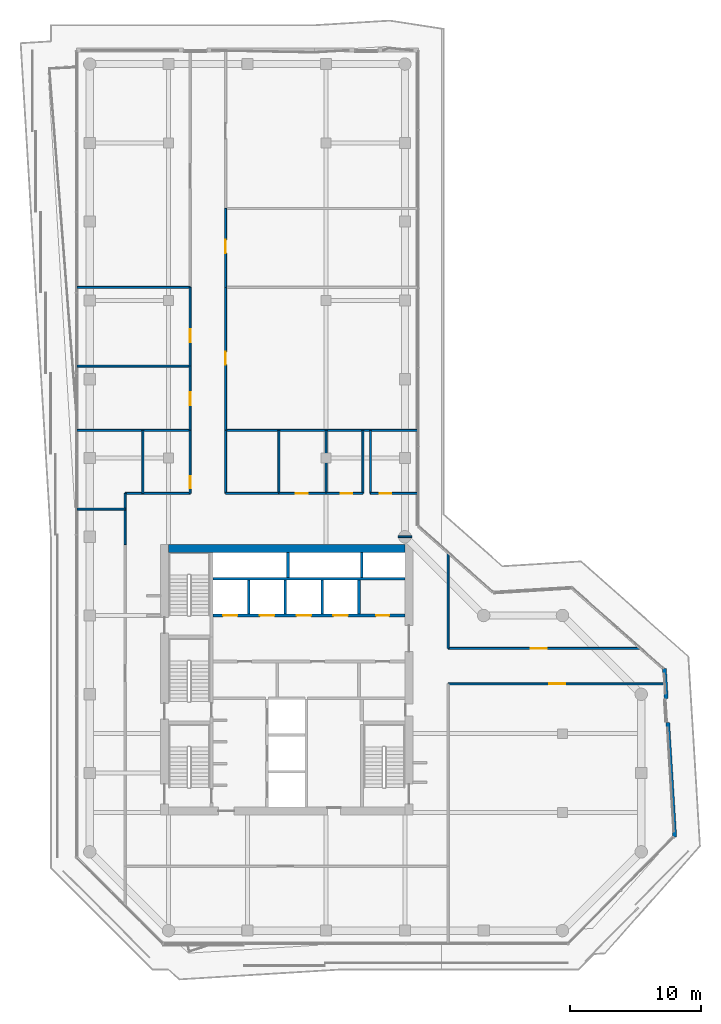
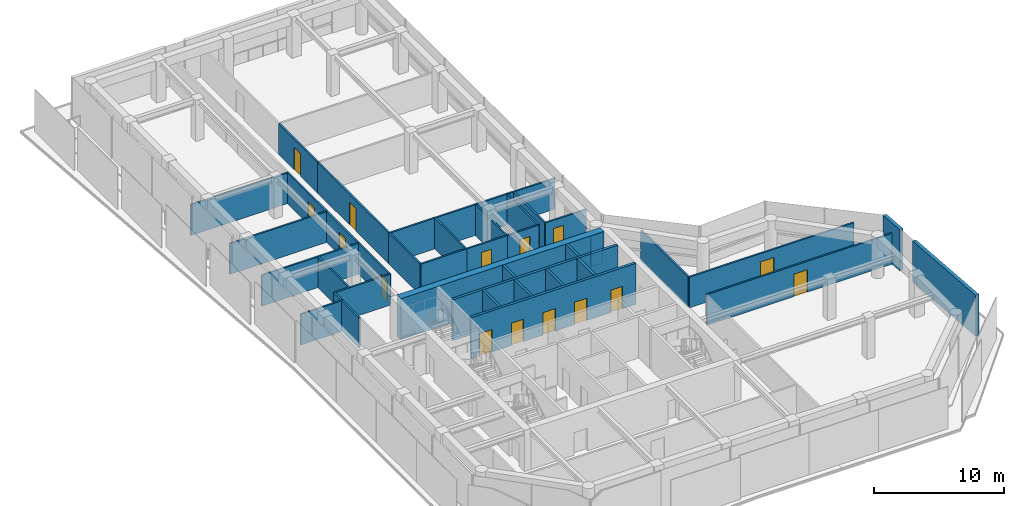
# One storey, part 18 of 21: 37 walls, 15 doors, 15 openings.
"""IFC4 building model written with IfcOpenShell, lengths in metres."""

from ifc_helpers import new_model, si_unit, direction, frame, frame_2d, origin, place, context, subcontext, project, spatial, rectangle, extrude, material, layer, layer_set, type_object, element, fill, save


model = new_model("IFC4")

# Units and contexts
model_context = context("Model", 3, precision=1e-05, world=origin(), true_north=direction((0.0, 1.0)))
body_context = subcontext(model_context, "Body", "Model", "MODEL_VIEW")
ifc_project = project(units=[si_unit("LENGTHUNIT", "METRE"), si_unit("AREAUNIT", "SQUARE_METRE"), si_unit("VOLUMEUNIT", "CUBIC_METRE"), si_unit("PLANEANGLEUNIT", "RADIAN"), si_unit("MASSUNIT", "GRAM", prefix="KILO")], contexts=[model_context])

# Site, building, storey
site_placement = place(None, origin())
site = spatial("IfcSite", under=ifc_project, at=site_placement, CompositionType="ELEMENT")
building_placement = place(site_placement, origin())
building = spatial("IfcBuilding", under=site, at=building_placement, Name="Welwitschia Terrace Campus", CompositionType="ELEMENT")
storey_placement = place(building_placement, frame((0.0, 0.0, 184.39990234375)))
storey = spatial("IfcBuildingStorey", under=building, at=storey_placement, Name="L41", CompositionType="ELEMENT", Elevation=184.39990234375)

# Wall, openings, doors
ifc_material_1 = material(Name="Concrete C32/40", Category="concrete")
ifc_layer_1 = layer(ifc_material_1, 0.22509765625)
ifc_layer_set_1 = layer_set([ifc_layer_1], Name="Concrete C32/40")
wall_type_1 = type_object("IfcWallType", Name="Core partition 225 Concrete C32/40", PredefinedType="PARTITIONING", material=ifc_layer_set_1)
wall_1_placement = place(storey_placement, frame((24.0, 20.0, 0.0), z_axis=(0.0, 0.0, 1.0), x_axis=(-1.0, 0.0, 0.0)))
wall_1 = element("IfcWall", 1, at=wall_1_placement, inside=storey, type_object=wall_type_1, Name="Shaft wall", PredefinedType="PARTITIONING", context=body_context, shape_type="SweptSolid", body=[
    extrude(rectangle(XDim=14.60009765625, YDim=0.22509765625, at=frame_2d((7.300048828125, 0.0))), origin(), (0.0, 0.0, 1.0), 3.85009765625),
])
opening_1_placement = place(wall_1_placement, frame((12.75, 0.0, 0.0)))
opening_1 = element("IfcOpeningElement", 2, at=opening_1_placement, cuts=wall_1, Name="Opening LD", PredefinedType="OPENING", context=body_context, shape_type="SweptSolid", body=[
    extrude(rectangle(XDim=1.10009765625, YDim=2.10009765625, at=frame_2d((0.550048828125, 1.050048828125))), frame((0.0, 0.12255859375, 0.0), z_axis=(0.0, -1.0, 0.0), x_axis=(1.0, 0.0, 0.0)), (0.0, 0.0, 1.0), 0.2451171875),
])
opening_2_placement = place(wall_1_placement, frame((9.949951171875, 0.0, 0.0)))
opening_2 = element("IfcOpeningElement", 3, at=opening_2_placement, cuts=wall_1, Name="Opening LD", PredefinedType="OPENING", context=body_context, shape_type="SweptSolid", body=[
    extrude(rectangle(XDim=1.10009765625, YDim=2.10009765625, at=frame_2d((0.550048828125, 1.050048828125))), frame((0.0, 0.12255859375, 0.0), z_axis=(0.0, -1.0, 0.0), x_axis=(1.0, 0.0, 0.0)), (0.0, 0.0, 1.0), 0.2451171875),
])
opening_3_placement = place(wall_1_placement, frame((7.14990234375, 0.0, 0.0)))
opening_3 = element("IfcOpeningElement", 4, at=opening_3_placement, cuts=wall_1, Name="Opening LD", PredefinedType="OPENING", context=body_context, shape_type="SweptSolid", body=[
    extrude(rectangle(XDim=1.10009765625, YDim=2.10009765625, at=frame_2d((0.550048828125, 1.050048828125))), frame((0.0, 0.12255859375, 0.0), z_axis=(0.0, -1.0, 0.0), x_axis=(1.0, 0.0, 0.0)), (0.0, 0.0, 1.0), 0.2451171875),
])
opening_4_placement = place(wall_1_placement, frame((4.35009765625, 0.0, 0.0)))
opening_4 = element("IfcOpeningElement", 5, at=opening_4_placement, cuts=wall_1, Name="Opening LD", PredefinedType="OPENING", context=body_context, shape_type="SweptSolid", body=[
    extrude(rectangle(XDim=1.10009765625, YDim=2.10009765625, at=frame_2d((0.550048828125, 1.050048828125))), frame((0.0, 0.12255859375, 0.0), z_axis=(0.0, -1.0, 0.0), x_axis=(1.0, 0.0, 0.0)), (0.0, 0.0, 1.0), 0.2451171875),
])
opening_5_placement = place(wall_1_placement, frame((1.199951171875, 0.0, 0.0)))
opening_5 = element("IfcOpeningElement", 6, at=opening_5_placement, cuts=wall_1, Name="Opening DR10", PredefinedType="OPENING", context=body_context, shape_type="SweptSolid", body=[
    extrude(rectangle(XDim=1.0, YDim=2.10009765625, at=frame_2d((0.5, 1.050048828125))), frame((0.0, 0.12255859375, 0.0), z_axis=(0.0, -1.0, 0.0), x_axis=(1.0, 0.0, 0.0)), (0.0, 0.0, 1.0), 0.2451171875),
])
ifc_material_2 = material(Name="Steel S275", Category="steel")
door_type_1 = type_object("IfcDoorType", Name="Core door DR10", OperationType="SINGLE_SWING_LEFT", PredefinedType="DOOR", material=ifc_material_2)
door_1_placement = place(opening_5_placement, origin())
door_1 = element("IfcDoor", 7, at=door_1_placement, inside=storey, type_object=door_type_1, Name="Door EH-D", OperationType="SINGLE_SWING_LEFT", OverallHeight=2.10009765625, OverallWidth=1.0, PredefinedType="DOOR", context=body_context, shape_type="SweptSolid", body=[
    extrude(rectangle(XDim=1.0, YDim=2.10009765625, at=frame_2d((0.5, 1.050048828125))), frame((0.0, 0.02490234375, 0.0), z_axis=(0.0, -1.0, 0.0), x_axis=(1.0, 0.0, 0.0)), (0.0, 0.0, 1.0), 0.050048828125),
])
fill(opening_5, door_1)
ifc_material_3 = material(Name="Stainless steel 304", Category="steel")
door_type_2 = type_object("IfcDoorType", Name="Lift landing door", OperationType="DOUBLE_DOOR_SLIDING", PredefinedType="DOOR", material=ifc_material_3)
door_2_placement = place(opening_1_placement, origin())
door_2 = element("IfcDoor", 8, at=door_2_placement, inside=storey, type_object=door_type_2, Name="Landing door HR1", OperationType="DOUBLE_DOOR_SLIDING", OverallHeight=2.10009765625, OverallWidth=1.10009765625, PredefinedType="DOOR", context=body_context, shape_type="SweptSolid", body=[
    extrude(rectangle(XDim=1.10009765625, YDim=2.10009765625, at=frame_2d((0.550048828125, 1.050048828125))), frame((0.0, 0.02490234375, 0.0), z_axis=(0.0, -1.0, 0.0), x_axis=(1.0, 0.0, 0.0)), (0.0, 0.0, 1.0), 0.050048828125),
])
fill(opening_1, door_2)
door_3_placement = place(opening_2_placement, origin())
door_3 = element("IfcDoor", 9, at=door_3_placement, inside=storey, type_object=door_type_2, Name="Landing door HR2", OperationType="DOUBLE_DOOR_SLIDING", OverallHeight=2.10009765625, OverallWidth=1.10009765625, PredefinedType="DOOR", context=body_context, shape_type="SweptSolid", body=[
    extrude(rectangle(XDim=1.10009765625, YDim=2.10009765625, at=frame_2d((0.550048828125, 1.050048828125))), frame((0.0, 0.02490234375, 0.0), z_axis=(0.0, -1.0, 0.0), x_axis=(1.0, 0.0, 0.0)), (0.0, 0.0, 1.0), 0.050048828125),
])
fill(opening_2, door_3)
door_4_placement = place(opening_3_placement, origin())
door_4 = element("IfcDoor", 10, at=door_4_placement, inside=storey, type_object=door_type_2, Name="Landing door HR3", OperationType="DOUBLE_DOOR_SLIDING", OverallHeight=2.10009765625, OverallWidth=1.10009765625, PredefinedType="DOOR", context=body_context, shape_type="SweptSolid", body=[
    extrude(rectangle(XDim=1.10009765625, YDim=2.10009765625, at=frame_2d((0.550048828125, 1.050048828125))), frame((0.0, 0.02490234375, 0.0), z_axis=(0.0, -1.0, 0.0), x_axis=(1.0, 0.0, 0.0)), (0.0, 0.0, 1.0), 0.050048828125),
])
fill(opening_3, door_4)
door_5_placement = place(opening_4_placement, origin())
door_5 = element("IfcDoor", 11, at=door_5_placement, inside=storey, type_object=door_type_2, Name="Landing door HR4", OperationType="DOUBLE_DOOR_SLIDING", OverallHeight=2.10009765625, OverallWidth=1.10009765625, PredefinedType="DOOR", context=body_context, shape_type="SweptSolid", body=[
    extrude(rectangle(XDim=1.10009765625, YDim=2.10009765625, at=frame_2d((0.550048828125, 1.050048828125))), frame((0.0, 0.02490234375, 0.0), z_axis=(0.0, -1.0, 0.0), x_axis=(1.0, 0.0, 0.0)), (0.0, 0.0, 1.0), 0.050048828125),
])
fill(opening_4, door_5)

# Walls
wall_2_placement = place(storey_placement, frame((9.39990234375, 22.800048828125, 0.0), z_axis=(0.0, 0.0, 1.0), x_axis=(1.0, 0.0, 0.0)))
element("IfcWall", 12, at=wall_2_placement, inside=storey, type_object=wall_type_1, Name="Shaft wall", PredefinedType="PARTITIONING", context=body_context, shape_type="SweptSolid", body=[
    extrude(rectangle(XDim=14.60009765625, YDim=0.22509765625, at=frame_2d((7.300048828125, 0.0))), origin(), (0.0, 0.0, 1.0), 3.85009765625),
])
wall_3_placement = place(storey_placement, frame((20.5, 20.10009765625, 0.0), z_axis=(0.0, 0.0, 1.0), x_axis=(0.0, 1.0, 0.0)))
element("IfcWall", 13, at=wall_3_placement, inside=storey, type_object=wall_type_1, Name="Shaft wall", PredefinedType="PARTITIONING", context=body_context, shape_type="SweptSolid", body=[
    extrude(rectangle(XDim=2.599853515625, YDim=0.22509765625, at=frame_2d((1.2998046875, 0.0))), origin(), (0.0, 0.0, 1.0), 3.85009765625),
])
ifc_material_4 = material(Name="Concrete C50/60", Category="concrete")
ifc_layer_2 = layer(ifc_material_4, 0.199951171875)
ifc_layer_set_2 = layer_set([ifc_layer_2], Name="Concrete C50/60")
wall_type_2 = type_object("IfcWallType", Name="Core wall 200 Concrete C50/60", PredefinedType="SHEAR", material=ifc_layer_set_2)
for number, where, z_axis, x_axis, name in (
    (14, (15.10009765625, 22.89990234375, 0.0), (0.0, 0.0, 1.0), (0.0, 1.0, 0.0), "Core wall"),
    (15, (20.699951171875, 22.89990234375, 0.0), (0.0, 0.0, 1.0), (0.0, 1.0, 0.0), "Core wall"),
):
    element("IfcWall", number, at=place(storey_placement, frame(where, z_axis=z_axis, x_axis=x_axis)), inside=storey, type_object=wall_type_2, Name=name, PredefinedType="SHEAR", context=body_context, shape_type="SweptSolid", body=[
        extrude(rectangle(XDim=1.900146484375, YDim=0.199951171875, at=frame_2d((0.9501953125, 0.0))), origin(), (0.0, 0.0, 1.0), 3.85009765625),
    ])
ifc_material_5 = material(Name="Concrete C60/75", Category="concrete")
ifc_layer_3 = layer(ifc_material_5, 0.60009765625)
ifc_layer_set_3 = layer_set([ifc_layer_3], Name="Concrete C60/75")
wall_type_3 = type_object("IfcWallType", Name="Core wall 600 Concrete C60/75", PredefinedType="SHEAR", material=ifc_layer_set_3)
wall_4_placement = place(storey_placement, frame((6.0, 25.10009765625, 0.0), z_axis=(0.0, 0.0, 1.0), x_axis=(1.0, 0.0, 0.0)))
element("IfcWall", 16, at=wall_4_placement, inside=storey, type_object=wall_type_3, Name="Core outer wall", PredefinedType="SHEAR", context=body_context, shape_type="SweptSolid", body=[
    extrude(rectangle(XDim=18.0, YDim=0.60009765625, at=frame_2d((9.0, 0.0))), origin(), (0.0, 0.0, 1.0), 3.85009765625),
])
ifc_material_6 = material(Name="Gypsum board on steel studs", Category="steel")
ifc_layer_4 = layer(ifc_material_6, 0.14990234375)
ifc_layer_set_4 = layer_set([ifc_layer_4], Name="Gypsum board on steel studs")
wall_type_4 = type_object("IfcWallType", Name="Corridor partition 150 EI 30", PredefinedType="PARTITIONING", material=ifc_layer_set_4)
wall_5_placement = place(storey_placement, frame((-0.97998046875, 28.10009765625, 0.0), z_axis=(0.0, 0.0, 1.0), x_axis=(1.0, 0.0, 0.0)))
element("IfcWall", 17, at=wall_5_placement, inside=storey, type_object=wall_type_4, Name="Partition", PredefinedType="PARTITIONING", context=body_context, shape_type="SweptSolid", body=[
    extrude(rectangle(XDim=3.679931640625, YDim=0.14990234375, at=frame_2d((1.83984375, 0.0))), origin(), (0.0, 0.0, 1.0), 2.880126953125),
])
for number, where, z_axis, x_axis, name in (
    (18, (-0.97998046875, 34.10009765625, 0.0), (0.0, 0.0, 1.0), (1.0, 0.0, 0.0), "Partition"),
    (19, (-0.97998046875, 39.0, 0.0), (0.0, 0.0, 1.0), (1.0, 0.0, 0.0), "Partition"),
    (20, (-0.97998046875, 45.0, 0.0), (0.0, 0.0, 1.0), (1.0, 0.0, 0.0), "Partition"),
):
    element("IfcWall", number, at=place(storey_placement, frame(where, z_axis=z_axis, x_axis=x_axis)), inside=storey, type_object=wall_type_4, Name=name, PredefinedType="PARTITIONING", context=body_context, shape_type="SweptSolid", body=[
        extrude(rectangle(XDim=8.6298828125, YDim=0.14990234375, at=frame_2d((4.31494140625, 0.0))), origin(), (0.0, 0.0, 1.0), 2.880126953125),
    ])
wall_6_placement = place(storey_placement, frame((2.699951171875, 25.39990234375, 0.0), z_axis=(0.0, 0.0, 1.0), x_axis=(0.0, 1.0, 0.0)))
element("IfcWall", 21, at=wall_6_placement, inside=storey, type_object=wall_type_4, Name="Partition", PredefinedType="PARTITIONING", context=body_context, shape_type="SweptSolid", body=[
    extrude(rectangle(XDim=3.900146484375, YDim=0.14990234375, at=frame_2d((1.9501953125, 0.0))), origin(), (0.0, 0.0, 1.0), 2.880126953125),
])
wall_7_placement = place(storey_placement, frame((2.699951171875, 29.300048828125, 0.0), z_axis=(0.0, 0.0, 1.0), x_axis=(1.0, 0.0, 0.0)))
element("IfcWall", 22, at=wall_7_placement, inside=storey, type_object=wall_type_4, Name="Partition", PredefinedType="PARTITIONING", context=body_context, shape_type="SweptSolid", body=[
    extrude(rectangle(XDim=4.949951171875, YDim=0.14990234375, at=frame_2d((2.47509765625, 0.0))), origin(), (0.0, 0.0, 1.0), 2.880126953125),
])
wall_8_placement = place(storey_placement, frame((4.050048828125, 29.300048828125, 0.0), z_axis=(0.0, 0.0, 1.0), x_axis=(0.0, 1.0, 0.0)))
element("IfcWall", 23, at=wall_8_placement, inside=storey, type_object=wall_type_4, Name="Partition", PredefinedType="PARTITIONING", context=body_context, shape_type="SweptSolid", body=[
    extrude(rectangle(XDim=4.800048828125, YDim=0.14990234375, at=frame_2d((2.39990234375, 0.0))), origin(), (0.0, 0.0, 1.0), 2.880126953125),
])

# Wall, opening, door
wall_9_placement = place(storey_placement, frame((7.64990234375, 29.300048828125, 0.0), z_axis=(0.0, 0.0, 1.0), x_axis=(0.0, 1.0, 0.0)))
wall_9 = element("IfcWall", 24, at=wall_9_placement, inside=storey, type_object=wall_type_4, Name="Partition", PredefinedType="PARTITIONING", context=body_context, shape_type="SweptSolid", body=[
    extrude(rectangle(XDim=4.800048828125, YDim=0.14990234375, at=frame_2d((2.39990234375, 0.0))), origin(), (0.0, 0.0, 1.0), 2.880126953125),
])
opening_6_placement = place(wall_9_placement, frame((0.39990234375, 0.0, 0.0)))
opening_6 = element("IfcOpeningElement", 25, at=opening_6_placement, cuts=wall_9, Name="Opening DI09", PredefinedType="OPENING", context=body_context, shape_type="SweptSolid", body=[
    extrude(rectangle(XDim=0.89990234375, YDim=2.10009765625, at=frame_2d((0.449951171875, 1.050048828125))), frame((0.0, 0.0849609375, 0.0), z_axis=(0.0, -1.0, 0.0), x_axis=(1.0, 0.0, 0.0)), (0.0, 0.0, 1.0), 0.169921875),
])
ifc_material_7 = material(Name="Timber veneered door", Category="wood")
door_type_3 = type_object("IfcDoorType", Name="Interior door DI09", OperationType="NOTDEFINED", PredefinedType="DOOR", material=ifc_material_7)
door_6_placement = place(opening_6_placement, origin())
door_6 = element("IfcDoor", 26, at=door_6_placement, inside=storey, type_object=door_type_3, Name="Door L41 810", OperationType="SINGLE_SWING_LEFT", OverallHeight=2.10009765625, OverallWidth=0.89990234375, PredefinedType="DOOR", context=body_context, shape_type="SweptSolid", body=[
    extrude(rectangle(XDim=0.89990234375, YDim=2.10009765625, at=frame_2d((0.449951171875, 1.050048828125))), frame((0.0, 0.02490234375, 0.0), z_axis=(0.0, -1.0, 0.0), x_axis=(1.0, 0.0, 0.0)), (0.0, 0.0, 1.0), 0.050048828125),
])
fill(opening_6, door_6)

wall_10_placement = place(storey_placement, frame((7.64990234375, 34.10009765625, 0.0), z_axis=(0.0, 0.0, 1.0), x_axis=(0.0, 1.0, 0.0)))
wall_10 = element("IfcWall", 27, at=wall_10_placement, inside=storey, type_object=wall_type_4, Name="Partition", PredefinedType="PARTITIONING", context=body_context, shape_type="SweptSolid", body=[
    extrude(rectangle(XDim=4.89990234375, YDim=0.14990234375, at=frame_2d((2.449951171875, 0.0))), origin(), (0.0, 0.0, 1.0), 2.880126953125),
])
opening_7_placement = place(wall_10_placement, frame((1.89990234375, 0.0, 0.0)))
opening_7 = element("IfcOpeningElement", 28, at=opening_7_placement, cuts=wall_10, Name="Opening DI10", PredefinedType="OPENING", context=body_context, shape_type="SweptSolid", body=[
    extrude(rectangle(XDim=1.0, YDim=2.10009765625, at=frame_2d((0.5, 1.050048828125))), frame((0.0, 0.0849609375, 0.0), z_axis=(0.0, -1.0, 0.0), x_axis=(1.0, 0.0, 0.0)), (0.0, 0.0, 1.0), 0.169921875),
])
ifc_material_8 = material(Name="Timber veneered door", Category="wood")
door_type_4 = type_object("IfcDoorType", Name="Interior door DI10", OperationType="NOTDEFINED", PredefinedType="DOOR", material=ifc_material_8)
door_7_placement = place(opening_7_placement, origin())
door_7 = element("IfcDoor", 29, at=door_7_placement, inside=storey, type_object=door_type_4, Name="Door L41 811", OperationType="SINGLE_SWING_RIGHT", OverallHeight=2.10009765625, OverallWidth=1.0, PredefinedType="DOOR", context=body_context, shape_type="SweptSolid", body=[
    extrude(rectangle(XDim=1.0, YDim=2.10009765625, at=frame_2d((0.5, 1.050048828125))), frame((0.0, 0.02490234375, 0.0), z_axis=(0.0, -1.0, 0.0), x_axis=(1.0, 0.0, 0.0)), (0.0, 0.0, 1.0), 0.050048828125),
])
fill(opening_7, door_7)

wall_11_placement = place(storey_placement, frame((7.64990234375, 39.0, 0.0), z_axis=(0.0, 0.0, 1.0), x_axis=(0.0, 1.0, 0.0)))
wall_11 = element("IfcWall", 30, at=wall_11_placement, inside=storey, type_object=wall_type_4, Name="Partition", PredefinedType="PARTITIONING", context=body_context, shape_type="SweptSolid", body=[
    extrude(rectangle(XDim=6.0, YDim=0.14990234375, at=frame_2d((3.0, 0.0))), origin(), (0.0, 0.0, 1.0), 2.880126953125),
])
opening_8_placement = place(wall_11_placement, frame((1.800048828125, 0.0, 0.0)))
opening_8 = element("IfcOpeningElement", 31, at=opening_8_placement, cuts=wall_11, Name="Opening DI10", PredefinedType="OPENING", context=body_context, shape_type="SweptSolid", body=[
    extrude(rectangle(XDim=1.0, YDim=2.10009765625, at=frame_2d((0.5, 1.050048828125))), frame((0.0, 0.0849609375, 0.0), z_axis=(0.0, -1.0, 0.0), x_axis=(1.0, 0.0, 0.0)), (0.0, 0.0, 1.0), 0.169921875),
])
door_8_placement = place(opening_8_placement, origin())
door_8 = element("IfcDoor", 32, at=door_8_placement, inside=storey, type_object=door_type_4, Name="Door L41 812", OperationType="SINGLE_SWING_LEFT", OverallHeight=2.10009765625, OverallWidth=1.0, PredefinedType="DOOR", context=body_context, shape_type="SweptSolid", body=[
    extrude(rectangle(XDim=1.0, YDim=2.10009765625, at=frame_2d((0.5, 1.050048828125))), frame((0.0, 0.02490234375, 0.0), z_axis=(0.0, -1.0, 0.0), x_axis=(1.0, 0.0, 0.0)), (0.0, 0.0, 1.0), 0.050048828125),
])
fill(opening_8, door_8)

# Walls
wall_12_placement = place(storey_placement, frame((10.35009765625, 29.300048828125, 0.0), z_axis=(0.0, 0.0, 1.0), x_axis=(0.0, 1.0, 0.0)))
element("IfcWall", 33, at=wall_12_placement, inside=storey, type_object=wall_type_4, Name="Partition", PredefinedType="PARTITIONING", context=body_context, shape_type="SweptSolid", body=[
    extrude(rectangle(XDim=4.800048828125, YDim=0.14990234375, at=frame_2d((2.39990234375, 0.0))), origin(), (0.0, 0.0, 1.0), 2.880126953125),
])
wall_13_placement = place(storey_placement, frame((10.35009765625, 29.300048828125, 0.0), z_axis=(0.0, 0.0, 1.0), x_axis=(1.0, 0.0, 0.0)))
element("IfcWall", 34, at=wall_13_placement, inside=storey, type_object=wall_type_4, Name="Partition", PredefinedType="PARTITIONING", context=body_context, shape_type="SweptSolid", body=[
    extrude(rectangle(XDim=4.0498046875, YDim=0.14990234375, at=frame_2d((2.02490234375, 0.0))), origin(), (0.0, 0.0, 1.0), 2.880126953125),
])
wall_14_placement = place(storey_placement, frame((10.35009765625, 34.10009765625, 0.0), z_axis=(0.0, 0.0, 1.0), x_axis=(1.0, 0.0, 0.0)))
element("IfcWall", 35, at=wall_14_placement, inside=storey, type_object=wall_type_4, Name="Partition", PredefinedType="PARTITIONING", context=body_context, shape_type="SweptSolid", body=[
    extrude(rectangle(XDim=14.6298828125, YDim=0.14990234375, at=frame_2d((7.31494140625, 0.0))), origin(), (0.0, 0.0, 1.0), 2.880126953125),
])

# Wall, opening, door
wall_15_placement = place(storey_placement, frame((10.35009765625, 45.0, 0.0), z_axis=(0.0, 0.0, 1.0), x_axis=(0.0, -1.0, 0.0)))
wall_15 = element("IfcWall", 36, at=wall_15_placement, inside=storey, type_object=wall_type_4, Name="Partition", PredefinedType="PARTITIONING", context=body_context, shape_type="SweptSolid", body=[
    extrude(rectangle(XDim=10.89990234375, YDim=0.14990234375, at=frame_2d((5.449951171875, 0.0))), origin(), (0.0, 0.0, 1.0), 2.880126953125),
])
opening_9_placement = place(wall_15_placement, frame((4.89990234375, 0.0, 0.0)))
opening_9 = element("IfcOpeningElement", 37, at=opening_9_placement, cuts=wall_15, Name="Opening DI10", PredefinedType="OPENING", context=body_context, shape_type="SweptSolid", body=[
    extrude(rectangle(XDim=1.0, YDim=2.10009765625, at=frame_2d((0.5, 1.050048828125))), frame((0.0, 0.0849609375, 0.0), z_axis=(0.0, -1.0, 0.0), x_axis=(1.0, 0.0, 0.0)), (0.0, 0.0, 1.0), 0.169921875),
])
door_9_placement = place(opening_9_placement, origin())
door_9 = element("IfcDoor", 38, at=door_9_placement, inside=storey, type_object=door_type_4, Name="Door L41 814", OperationType="SINGLE_SWING_LEFT", OverallHeight=2.10009765625, OverallWidth=1.0, PredefinedType="DOOR", context=body_context, shape_type="SweptSolid", body=[
    extrude(rectangle(XDim=1.0, YDim=2.10009765625, at=frame_2d((0.5, 1.050048828125))), frame((0.0, 0.02490234375, 0.0), z_axis=(0.0, -1.0, 0.0), x_axis=(1.0, 0.0, 0.0)), (0.0, 0.0, 1.0), 0.050048828125),
])
fill(opening_9, door_9)

wall_16_placement = place(storey_placement, frame((10.35009765625, 51.0, 0.0), z_axis=(0.0, 0.0, 1.0), x_axis=(0.0, -1.0, 0.0)))
wall_16 = element("IfcWall", 39, at=wall_16_placement, inside=storey, type_object=wall_type_4, Name="Partition", PredefinedType="PARTITIONING", context=body_context, shape_type="SweptSolid", body=[
    extrude(rectangle(XDim=6.0, YDim=0.14990234375, at=frame_2d((3.0, 0.0))), origin(), (0.0, 0.0, 1.0), 2.880126953125),
])
opening_10_placement = place(wall_16_placement, frame((2.39990234375, 0.0, 0.0)))
opening_10 = element("IfcOpeningElement", 40, at=opening_10_placement, cuts=wall_16, Name="Opening DI10", PredefinedType="OPENING", context=body_context, shape_type="SweptSolid", body=[
    extrude(rectangle(XDim=1.0, YDim=2.10009765625, at=frame_2d((0.5, 1.050048828125))), frame((0.0, 0.0849609375, 0.0), z_axis=(0.0, -1.0, 0.0), x_axis=(1.0, 0.0, 0.0)), (0.0, 0.0, 1.0), 0.169921875),
])
door_10_placement = place(opening_10_placement, origin())
door_10 = element("IfcDoor", 41, at=door_10_placement, inside=storey, type_object=door_type_4, Name="Door L41 815", OperationType="SINGLE_SWING_RIGHT", OverallHeight=2.10009765625, OverallWidth=1.0, PredefinedType="DOOR", context=body_context, shape_type="SweptSolid", body=[
    extrude(rectangle(XDim=1.0, YDim=2.10009765625, at=frame_2d((0.5, 1.050048828125))), frame((0.0, 0.02490234375, 0.0), z_axis=(0.0, -1.0, 0.0), x_axis=(1.0, 0.0, 0.0)), (0.0, 0.0, 1.0), 0.050048828125),
])
fill(opening_10, door_10)

# Wall
wall_17_placement = place(storey_placement, frame((14.39990234375, 29.300048828125, 0.0), z_axis=(0.0, 0.0, 1.0), x_axis=(0.0, 1.0, 0.0)))
element("IfcWall", 42, at=wall_17_placement, inside=storey, type_object=wall_type_4, Name="Partition", PredefinedType="PARTITIONING", context=body_context, shape_type="SweptSolid", body=[
    extrude(rectangle(XDim=4.800048828125, YDim=0.14990234375, at=frame_2d((2.39990234375, 0.0))), origin(), (0.0, 0.0, 1.0), 2.880126953125),
])

# Wall, opening, door
wall_18_placement = place(storey_placement, frame((14.39990234375, 29.300048828125, 0.0), z_axis=(0.0, 0.0, 1.0), x_axis=(1.0, 0.0, 0.0)))
wall_18 = element("IfcWall", 43, at=wall_18_placement, inside=storey, type_object=wall_type_4, Name="Partition", PredefinedType="PARTITIONING", context=body_context, shape_type="SweptSolid", body=[
    extrude(rectangle(XDim=3.60009765625, YDim=0.14990234375, at=frame_2d((1.800048828125, 0.0))), origin(), (0.0, 0.0, 1.0), 2.880126953125),
])
opening_11_placement = place(wall_18_placement, frame((1.300048828125, 0.0, 0.0)))
opening_11 = element("IfcOpeningElement", 44, at=opening_11_placement, cuts=wall_18, Name="Opening DI09", PredefinedType="OPENING", context=body_context, shape_type="SweptSolid", body=[
    extrude(rectangle(XDim=0.89990234375, YDim=2.10009765625, at=frame_2d((0.449951171875, 1.050048828125))), frame((0.0, 0.0849609375, 0.0), z_axis=(0.0, -1.0, 0.0), x_axis=(1.0, 0.0, 0.0)), (0.0, 0.0, 1.0), 0.169921875),
])
door_11_placement = place(opening_11_placement, origin())
door_11 = element("IfcDoor", 45, at=door_11_placement, inside=storey, type_object=door_type_3, Name="Door L41 817", OperationType="SINGLE_SWING_RIGHT", OverallHeight=2.10009765625, OverallWidth=0.89990234375, PredefinedType="DOOR", context=body_context, shape_type="SweptSolid", body=[
    extrude(rectangle(XDim=0.89990234375, YDim=2.10009765625, at=frame_2d((0.449951171875, 1.050048828125))), frame((0.0, 0.02490234375, 0.0), z_axis=(0.0, -1.0, 0.0), x_axis=(1.0, 0.0, 0.0)), (0.0, 0.0, 1.0), 0.050048828125),
])
fill(opening_11, door_11)

# Wall
wall_19_placement = place(storey_placement, frame((18.0, 29.300048828125, 0.0), z_axis=(0.0, 0.0, 1.0), x_axis=(0.0, 1.0, 0.0)))
element("IfcWall", 46, at=wall_19_placement, inside=storey, type_object=wall_type_4, Name="Partition", PredefinedType="PARTITIONING", context=body_context, shape_type="SweptSolid", body=[
    extrude(rectangle(XDim=4.800048828125, YDim=0.14990234375, at=frame_2d((2.39990234375, 0.0))), origin(), (0.0, 0.0, 1.0), 2.880126953125),
])

# Wall, opening, door
wall_20_placement = place(storey_placement, frame((18.0, 29.300048828125, 0.0), z_axis=(0.0, 0.0, 1.0), x_axis=(1.0, 0.0, 0.0)))
wall_20 = element("IfcWall", 47, at=wall_20_placement, inside=storey, type_object=wall_type_4, Name="Partition", PredefinedType="PARTITIONING", context=body_context, shape_type="SweptSolid", body=[
    extrude(rectangle(XDim=2.800048828125, YDim=0.14990234375, at=frame_2d((1.39990234375, 0.0))), origin(), (0.0, 0.0, 1.0), 2.880126953125),
])
opening_12_placement = place(wall_20_placement, frame((1.10009765625, 0.0, 0.0)))
opening_12 = element("IfcOpeningElement", 48, at=opening_12_placement, cuts=wall_20, Name="Opening DI09", PredefinedType="OPENING", context=body_context, shape_type="SweptSolid", body=[
    extrude(rectangle(XDim=0.89990234375, YDim=2.10009765625, at=frame_2d((0.449951171875, 1.050048828125))), frame((0.0, 0.0849609375, 0.0), z_axis=(0.0, -1.0, 0.0), x_axis=(1.0, 0.0, 0.0)), (0.0, 0.0, 1.0), 0.169921875),
])
door_12_placement = place(opening_12_placement, origin())
door_12 = element("IfcDoor", 49, at=door_12_placement, inside=storey, type_object=door_type_3, Name="Door L41 818", OperationType="SINGLE_SWING_LEFT", OverallHeight=2.10009765625, OverallWidth=0.89990234375, PredefinedType="DOOR", context=body_context, shape_type="SweptSolid", body=[
    extrude(rectangle(XDim=0.89990234375, YDim=2.10009765625, at=frame_2d((0.449951171875, 1.050048828125))), frame((0.0, 0.02490234375, 0.0), z_axis=(0.0, -1.0, 0.0), x_axis=(1.0, 0.0, 0.0)), (0.0, 0.0, 1.0), 0.050048828125),
])
fill(opening_12, door_12)

# Walls
for number, where, z_axis, x_axis, name in (
    (50, (20.800048828125, 29.300048828125, 0.0), (0.0, 0.0, 1.0), (0.0, 1.0, 0.0), "Partition"),
    (51, (21.3798828125, 29.300048828125, 0.0), (0.0, 0.0, 1.0), (0.0, 1.0, 0.0), "Partition"),
):
    element("IfcWall", number, at=place(storey_placement, frame(where, z_axis=z_axis, x_axis=x_axis)), inside=storey, type_object=wall_type_4, Name=name, PredefinedType="PARTITIONING", context=body_context, shape_type="SweptSolid", body=[
        extrude(rectangle(XDim=4.800048828125, YDim=0.14990234375, at=frame_2d((2.39990234375, 0.0))), origin(), (0.0, 0.0, 1.0), 2.880126953125),
    ])

# Wall, opening, door
wall_21_placement = place(storey_placement, frame((21.3798828125, 29.300048828125, 0.0), z_axis=(0.0, 0.0, 1.0), x_axis=(1.0, 0.0, 0.0)))
wall_21 = element("IfcWall", 52, at=wall_21_placement, inside=storey, type_object=wall_type_4, Name="Partition", PredefinedType="PARTITIONING", context=body_context, shape_type="SweptSolid", body=[
    extrude(rectangle(XDim=3.60009765625, YDim=0.14990234375, at=frame_2d((1.800048828125, 0.0))), origin(), (0.0, 0.0, 1.0), 2.880126953125),
])
opening_13_placement = place(wall_21_placement, frame((0.699951171875, 0.0, 0.0)))
opening_13 = element("IfcOpeningElement", 53, at=opening_13_placement, cuts=wall_21, Name="Opening DI09", PredefinedType="OPENING", context=body_context, shape_type="SweptSolid", body=[
    extrude(rectangle(XDim=0.89990234375, YDim=2.10009765625, at=frame_2d((0.449951171875, 1.050048828125))), frame((0.0, 0.0849609375, 0.0), z_axis=(0.0, -1.0, 0.0), x_axis=(1.0, 0.0, 0.0)), (0.0, 0.0, 1.0), 0.169921875),
])
door_13_placement = place(opening_13_placement, origin())
door_13 = element("IfcDoor", 54, at=door_13_placement, inside=storey, type_object=door_type_3, Name="Door L41 819", OperationType="SINGLE_SWING_RIGHT", OverallHeight=2.10009765625, OverallWidth=0.89990234375, PredefinedType="DOOR", context=body_context, shape_type="SweptSolid", body=[
    extrude(rectangle(XDim=0.89990234375, YDim=2.10009765625, at=frame_2d((0.449951171875, 1.050048828125))), frame((0.0, 0.02490234375, 0.0), z_axis=(0.0, -1.0, 0.0), x_axis=(1.0, 0.0, 0.0)), (0.0, 0.0, 1.0), 0.050048828125),
])
fill(opening_13, door_13)

# Wall
wall_22_placement = place(storey_placement, frame((23.47998046875, 26.0, 0.0), z_axis=(0.0, 0.0, 1.0), x_axis=(1.0, 0.0, 0.0)))
element("IfcWall", 55, at=wall_22_placement, inside=storey, type_object=wall_type_4, Name="Partition", PredefinedType="PARTITIONING", context=body_context, shape_type="SweptSolid", body=[
    extrude(rectangle(XDim=1.050048828125, YDim=0.14990234375, at=frame_2d((0.52490234375, 0.0))), origin(), (0.0, 0.0, 1.0), 2.880126953125),
])

# Wall, opening, door
wall_23_placement = place(storey_placement, frame((27.300048828125, 14.800048828125, 0.0), z_axis=(0.0, 0.0, 1.0), x_axis=(1.0, 0.0, 0.0)))
wall_23 = element("IfcWall", 56, at=wall_23_placement, inside=storey, type_object=wall_type_4, Name="Partition", PredefinedType="PARTITIONING", context=body_context, shape_type="SweptSolid", body=[
    extrude(rectangle(XDim=16.549072265625, YDim=0.14990234375, at=frame_2d((8.2744140625, 0.0))), origin(), (0.0, 0.0, 1.0), 2.880126953125),
])
opening_14_placement = place(wall_23_placement, frame((7.699951171875, 0.0, 0.0)))
opening_14 = element("IfcOpeningElement", 57, at=opening_14_placement, cuts=wall_23, Name="Opening DI12", PredefinedType="OPENING", context=body_context, shape_type="SweptSolid", body=[
    extrude(rectangle(XDim=1.199951171875, YDim=2.10009765625, at=frame_2d((0.60009765625, 1.050048828125))), frame((0.0, 0.0849609375, 0.0), z_axis=(0.0, -1.0, 0.0), x_axis=(1.0, 0.0, 0.0)), (0.0, 0.0, 1.0), 0.169921875),
])
ifc_material_9 = material(Name="Timber veneered door", Category="wood")
door_type_5 = type_object("IfcDoorType", Name="Interior door DI12", OperationType="NOTDEFINED", PredefinedType="DOOR", material=ifc_material_9)
door_14_placement = place(opening_14_placement, origin())
door_14 = element("IfcDoor", 58, at=door_14_placement, inside=storey, type_object=door_type_5, Name="Door L41 821", OperationType="SINGLE_SWING_RIGHT", OverallHeight=2.10009765625, OverallWidth=1.199951171875, PredefinedType="DOOR", context=body_context, shape_type="SweptSolid", body=[
    extrude(rectangle(XDim=1.199951171875, YDim=2.10009765625, at=frame_2d((0.60009765625, 1.050048828125))), frame((0.0, 0.02490234375, 0.0), z_axis=(0.0, -1.0, 0.0), x_axis=(1.0, 0.0, 0.0)), (0.0, 0.0, 1.0), 0.050048828125),
])
fill(opening_14, door_14)

# Wall
wall_24_placement = place(storey_placement, frame((27.300048828125, 17.5, 0.0), z_axis=(0.0, 0.0, 1.0), x_axis=(0.0, 1.0, 0.0)))
element("IfcWall", 59, at=wall_24_placement, inside=storey, type_object=wall_type_4, Name="Partition", PredefinedType="PARTITIONING", context=body_context, shape_type="SweptSolid", body=[
    extrude(rectangle(XDim=7.260009765625, YDim=0.14990234375, at=frame_2d((3.6298828125, 0.0))), origin(), (0.0, 0.0, 1.0), 2.880126953125),
])

# Wall, opening, door
wall_25_placement = place(storey_placement, frame((27.300048828125, 17.5, 0.0), z_axis=(0.0, 0.0, 1.0), x_axis=(1.0, 0.0, 0.0)))
wall_25 = element("IfcWall", 60, at=wall_25_placement, inside=storey, type_object=wall_type_4, Name="Partition", PredefinedType="PARTITIONING", context=body_context, shape_type="SweptSolid", body=[
    extrude(rectangle(XDim=14.599853515625, YDim=0.14990234375, at=frame_2d((7.2998046875, 0.0))), origin(), (0.0, 0.0, 1.0), 2.880126953125),
])
opening_15_placement = place(wall_25_placement, frame((6.300048828125, 0.0, 0.0)))
opening_15 = element("IfcOpeningElement", 61, at=opening_15_placement, cuts=wall_25, Name="Opening DI12", PredefinedType="OPENING", context=body_context, shape_type="SweptSolid", body=[
    extrude(rectangle(XDim=1.199951171875, YDim=2.10009765625, at=frame_2d((0.60009765625, 1.050048828125))), frame((0.0, 0.0849609375, 0.0), z_axis=(0.0, -1.0, 0.0), x_axis=(1.0, 0.0, 0.0)), (0.0, 0.0, 1.0), 0.169921875),
])
door_15_placement = place(opening_15_placement, origin())
door_15 = element("IfcDoor", 62, at=door_15_placement, inside=storey, type_object=door_type_5, Name="Door L41 822", OperationType="SINGLE_SWING_LEFT", OverallHeight=2.10009765625, OverallWidth=1.199951171875, PredefinedType="DOOR", context=body_context, shape_type="SweptSolid", body=[
    extrude(rectangle(XDim=1.199951171875, YDim=2.10009765625, at=frame_2d((0.60009765625, 1.050048828125))), frame((0.0, 0.02490234375, 0.0), z_axis=(0.0, -1.0, 0.0), x_axis=(1.0, 0.0, 0.0)), (0.0, 0.0, 1.0), 0.050048828125),
])
fill(opening_15, door_15)

# Walls
ifc_material_10 = material(Name="Concrete C40/50", Category="concrete")
ifc_layer_5 = layer(ifc_material_10, 0.300048828125)
ifc_layer_set_5 = layer_set([ifc_layer_5], Name="Concrete C40/50")
wall_type_5 = type_object("IfcWallType", Name="Mass wall 300", PredefinedType="SOLIDWALL", material=ifc_layer_set_5)
wall_26_placement = place(storey_placement, frame((44.552001953125, 3.1376953125, 0.0), z_axis=(0.0, 0.0, 1.0), x_axis=(-0.061063491269, 0.998133883822, 0.0)))
element("IfcWall", 63, at=wall_26_placement, inside=storey, type_object=wall_type_5, Name="Mass wall L41.3.0", PredefinedType="SOLIDWALL", context=body_context, shape_type="SweptSolid", body=[
    extrude(rectangle(XDim=8.739990234375, YDim=0.300048828125, at=frame_2d((4.3701171875, 0.0))), origin(), (0.0, 0.0, 1.0), 3.85009765625),
])
wall_27_placement = place(storey_placement, frame((43.908447265625, 13.658203125, 0.0), z_axis=(0.0, 0.0, 1.0), x_axis=(-0.06100491226, 0.998137465823, 0.0)))
element("IfcWall", 64, at=wall_27_placement, inside=storey, type_object=wall_type_5, Name="Mass wall L41.3.1", PredefinedType="SOLIDWALL", context=body_context, shape_type="SweptSolid", body=[
    extrude(rectangle(XDim=2.313232421875, YDim=0.300048828125, at=frame_2d((1.15673828125, 0.0))), origin(), (0.0, 0.0, 1.0), 3.85009765625),
])
ifc_material_11 = material(Name="Concrete C32/40", Category="concrete")
ifc_layer_6 = layer(ifc_material_11, 0.199951171875)
ifc_layer_set_6 = layer_set([ifc_layer_6], Name="Concrete C32/40")
wall_type_6 = type_object("IfcWallType", Name="Shaft wall 200 Concrete C32/40", PredefinedType="SOLIDWALL", material=ifc_layer_set_6)
for number, where, z_axis, x_axis, name in (
    (65, (12.10009765625, 20.10009765625, 0.0), (0.0, 0.0, 1.0), (0.0, 1.0, 0.0), "Shaft wall"),
    (66, (14.89990234375, 20.10009765625, 0.0), (0.0, 0.0, 1.0), (0.0, 1.0, 0.0), "Shaft wall"),
    (67, (17.699951171875, 20.10009765625, 0.0), (0.0, 0.0, 1.0), (0.0, 1.0, 0.0), "Shaft wall"),
):
    element("IfcWall", number, at=place(storey_placement, frame(where, z_axis=z_axis, x_axis=x_axis)), inside=storey, type_object=wall_type_6, Name=name, PredefinedType="SOLIDWALL", context=body_context, shape_type="SweptSolid", body=[
        extrude(rectangle(XDim=2.599853515625, YDim=0.199951171875, at=frame_2d((1.2998046875, 0.0))), origin(), (0.0, 0.0, 1.0), 3.85009765625),
    ])

save(model, "model.ifc")
